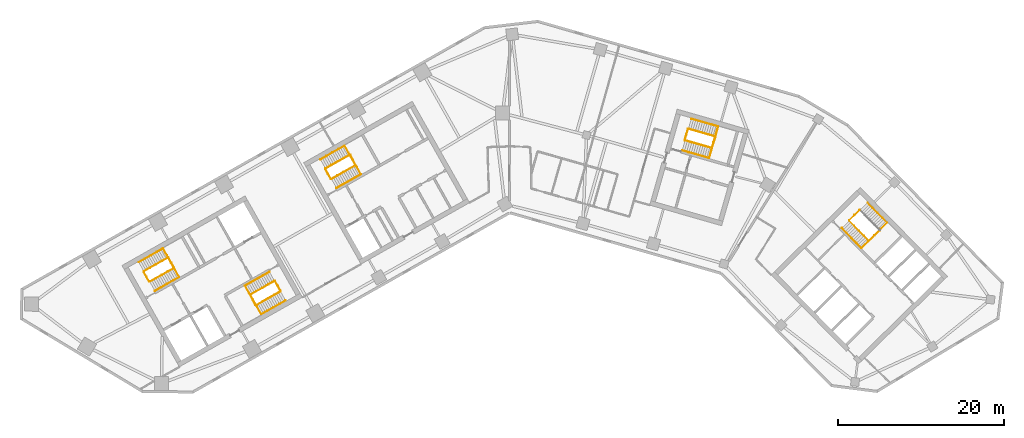
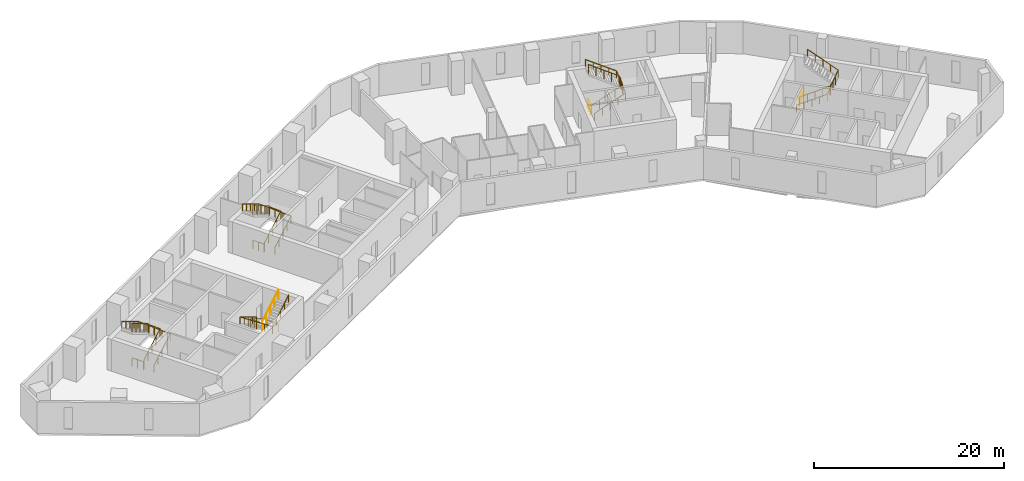
# One storey, part 9 of 10: 19 railings.
"""IFC4 building model written with IfcOpenShell, lengths in metres."""

from ifc_helpers import new_model, si_unit, direction, frame, origin, origin_2d, place, context, subcontext, project, spatial, circle, extrude, material, type_object, element, save


model = new_model("IFC4")

# Units and contexts
model_context = context("Model", 3, precision=1e-05, world=origin(), true_north=direction((0.0, 1.0)))
body_context = subcontext(model_context, "Body", "Model", "MODEL_VIEW")
ifc_project = project(units=[si_unit("LENGTHUNIT", "METRE"), si_unit("AREAUNIT", "SQUARE_METRE"), si_unit("VOLUMEUNIT", "CUBIC_METRE"), si_unit("PLANEANGLEUNIT", "RADIAN"), si_unit("MASSUNIT", "GRAM", prefix="KILO")], contexts=[model_context])

# Site, building, storey
site_placement = place(None, origin())
site = spatial("IfcSite", under=ifc_project, at=site_placement, CompositionType="ELEMENT")
building_placement = place(site_placement, origin())
building = spatial("IfcBuilding", under=site, at=building_placement, Name="Binnacle Exchange Tower", CompositionType="ELEMENT")
storey_placement = place(building_placement, frame((0.0, 0.0, 136.699951171875)))
storey = spatial("IfcBuildingStorey", under=building, at=storey_placement, Name="L28", CompositionType="ELEMENT", Elevation=136.699951171875)

# Railings
ifc_material_1 = material(Name="Steel guard rail", Category="steel")
railing_type_1 = type_object("IfcRailingType", Name="STAIR GUARD 1100", PredefinedType="GUARDRAIL", material=ifc_material_1)
railing_1_placement = place(storey_placement, frame((-43.26171875, 39.71728515625, 0.169189453125)))
element("IfcRailing", 1, at=railing_1_placement, inside=storey, type_object=railing_type_1, Name="L28 STA1 stair guard 1", PredefinedType="GUARDRAIL", context=body_context, shape_type="SweptSolid", body=[
    extrude(circle(Radius=0.02392578125, at=origin_2d()), frame((0.0, 0.0, 1.076171875), z_axis=(0.744867460262, 0.421436531824, 0.517265614832), x_axis=(-0.492433119026, 0.870350287693, 0.0)), (0.0, 0.0, 1.0), 3.926025390625),
    extrude(circle(Radius=0.02392578125, at=origin_2d()), frame((2.92431640625, 1.654541015625, 3.10693359375), z_axis=(-0.460963092712, 0.887419307406, 0.0), x_axis=(-0.887419307406, -0.460963092712, 0.0)), (0.0, 0.0, 1.0), 1.40087890625),
    extrude(circle(Radius=0.02099609375, at=origin_2d()), origin(), (0.0, 0.0, 1.0), 1.052001953125),
    extrude(circle(Radius=0.02099609375, at=origin_2d()), frame((0.73095703125, 0.41357421875, 0.5078125)), (0.0, 0.0, 1.0), 1.052001953125),
    extrude(circle(Radius=0.02099609375, at=origin_2d()), frame((1.462158203125, 0.8271484375, 1.015380859375)), (0.0, 0.0, 1.0), 1.052001953125),
    extrude(circle(Radius=0.02099609375, at=origin_2d()), frame((2.193359375, 1.240966796875, 1.52294921875)), (0.0, 0.0, 1.0), 1.052001953125),
    extrude(circle(Radius=0.02099609375, at=origin_2d()), frame((2.92431640625, 1.654541015625, 2.03076171875)), (0.0, 0.0, 1.0), 1.052001953125),
    extrude(circle(Radius=0.02099609375, at=origin_2d()), frame((2.6015625, 2.276123046875, 2.03076171875)), (0.0, 0.0, 1.0), 1.052001953125),
    extrude(circle(Radius=0.02099609375, at=origin_2d()), frame((2.278564453125, 2.897705078125, 2.03076171875)), (0.0, 0.0, 1.0), 1.052001953125),
])
railing_2_placement = place(storey_placement, frame((-41.05126953125, 42.6337890625, 2.369384765625)))
element("IfcRailing", 2, at=railing_2_placement, inside=storey, type_object=railing_type_1, Name="L28 STA1 stair guard 2", PredefinedType="GUARDRAIL", context=body_context, shape_type="SweptSolid", body=[
    extrude(circle(Radius=0.02392578125, at=origin_2d()), frame((0.0, 0.0, 1.076171875), z_axis=(-0.744895141965, -0.421417011194, 0.517241655469), x_axis=(0.49240197835, -0.870367905955, 0.0)), (0.0, 0.0, 1.0), 3.926025390625),
    extrude(circle(Radius=0.02099609375, at=origin_2d()), origin(), (0.0, 0.0, 1.0), 1.052001953125),
    extrude(circle(Radius=0.02099609375, at=origin_2d()), frame((-0.731201171875, -0.41357421875, 0.5078125)), (0.0, 0.0, 1.0), 1.052001953125),
    extrude(circle(Radius=0.02099609375, at=origin_2d()), frame((-1.46240234375, -0.8271484375, 1.015380859375)), (0.0, 0.0, 1.0), 1.052001953125),
    extrude(circle(Radius=0.02099609375, at=origin_2d()), frame((-2.193359375, -1.240966796875, 1.52294921875)), (0.0, 0.0, 1.0), 1.052001953125),
    extrude(circle(Radius=0.02099609375, at=origin_2d()), frame((-2.924560546875, -1.654541015625, 2.03076171875)), (0.0, 0.0, 1.0), 1.052001953125),
])
railing_3_placement = place(storey_placement, frame((-43.329833984375, 39.736328125, 0.0)))
element("IfcRailing", 3, at=railing_3_placement, inside=storey, type_object=railing_type_1, Name="L28 STA1 stair guard 3", PredefinedType="GUARDRAIL", context=body_context, shape_type="SweptSolid", body=[
    extrude(circle(Radius=0.02392578125, at=origin_2d()), frame((0.0, 0.0, 1.076171875), z_axis=(-0.4924922531, 0.870316827734, 0.0), x_axis=(-0.870316827734, -0.4924922531, 0.0)), (0.0, 0.0, 1.0), 1.349853515625),
    extrude(circle(Radius=0.02099609375, at=origin_2d()), origin(), (0.0, 0.0, 1.0), 1.052001953125),
    extrude(circle(Radius=0.02099609375, at=origin_2d()), frame((-0.33251953125, 0.58740234375, 0.0)), (0.0, 0.0, 1.0), 1.052001953125),
    extrude(circle(Radius=0.02099609375, at=origin_2d()), frame((-0.664794921875, 1.1748046875, 0.0)), (0.0, 0.0, 1.0), 1.052001953125),
])
railing_4_placement = place(storey_placement, frame((-28.265380859375, 39.814453125, 0.169189453125)))
element("IfcRailing", 4, at=railing_4_placement, inside=storey, type_object=railing_type_1, Name="L28 STA2 stair guard 1", PredefinedType="GUARDRAIL", context=body_context, shape_type="SweptSolid", body=[
    extrude(circle(Radius=0.02392578125, at=origin_2d()), frame((0.0, 0.0, 1.076171875), z_axis=(-0.744895141965, -0.421417011194, 0.517241655469), x_axis=(0.49240197835, -0.870367905955, 0.0)), (0.0, 0.0, 1.0), 3.926025390625),
    extrude(circle(Radius=0.02392578125, at=origin_2d()), frame((-2.924560546875, -1.654541015625, 3.10693359375), z_axis=(0.461100321709, -0.887348011391, 0.0), x_axis=(0.887348011391, 0.461100321709, 0.0)), (0.0, 0.0, 1.0), 1.40087890625),
    extrude(circle(Radius=0.02099609375, at=origin_2d()), origin(), (0.0, 0.0, 1.0), 1.052001953125),
    extrude(circle(Radius=0.02099609375, at=origin_2d()), frame((-0.731201171875, -0.41357421875, 0.5078125)), (0.0, 0.0, 1.0), 1.052001953125),
    extrude(circle(Radius=0.02099609375, at=origin_2d()), frame((-1.46240234375, -0.8271484375, 1.015380859375)), (0.0, 0.0, 1.0), 1.052001953125),
    extrude(circle(Radius=0.02099609375, at=origin_2d()), frame((-2.193359375, -1.240966796875, 1.52294921875)), (0.0, 0.0, 1.0), 1.052001953125),
    extrude(circle(Radius=0.02099609375, at=origin_2d()), frame((-2.924560546875, -1.654541015625, 2.03076171875)), (0.0, 0.0, 1.0), 1.052001953125),
    extrude(circle(Radius=0.02099609375, at=origin_2d()), frame((-2.6015625, -2.276123046875, 2.03076171875)), (0.0, 0.0, 1.0), 1.052001953125),
    extrude(circle(Radius=0.02099609375, at=origin_2d()), frame((-2.278564453125, -2.897705078125, 2.03076171875)), (0.0, 0.0, 1.0), 1.052001953125),
])
railing_5_placement = place(storey_placement, frame((-30.475830078125, 36.89794921875, 2.369384765625)))
element("IfcRailing", 5, at=railing_5_placement, inside=storey, type_object=railing_type_1, Name="L28 STA2 stair guard 2", PredefinedType="GUARDRAIL", context=body_context, shape_type="SweptSolid", body=[
    extrude(circle(Radius=0.02392578125, at=origin_2d()), frame((0.0, 0.0, 1.076171875), z_axis=(0.744867460262, 0.421436531824, 0.517265614832), x_axis=(-0.492433119026, 0.870350287693, 0.0)), (0.0, 0.0, 1.0), 3.926025390625),
    extrude(circle(Radius=0.02099609375, at=origin_2d()), origin(), (0.0, 0.0, 1.0), 1.052001953125),
    extrude(circle(Radius=0.02099609375, at=origin_2d()), frame((0.73095703125, 0.41357421875, 0.5078125)), (0.0, 0.0, 1.0), 1.052001953125),
    extrude(circle(Radius=0.02099609375, at=origin_2d()), frame((1.462158203125, 0.8271484375, 1.015380859375)), (0.0, 0.0, 1.0), 1.052001953125),
    extrude(circle(Radius=0.02099609375, at=origin_2d()), frame((2.193359375, 1.240966796875, 1.52294921875)), (0.0, 0.0, 1.0), 1.052001953125),
    extrude(circle(Radius=0.02099609375, at=origin_2d()), frame((2.92431640625, 1.654541015625, 2.03076171875)), (0.0, 0.0, 1.0), 1.052001953125),
])
railing_6_placement = place(storey_placement, frame((-28.197265625, 39.795654296875, 0.0)))
element("IfcRailing", 6, at=railing_6_placement, inside=storey, type_object=railing_type_1, Name="L28 STA2 stair guard 3", PredefinedType="GUARDRAIL", context=body_context, shape_type="SweptSolid", body=[
    extrude(circle(Radius=0.02392578125, at=origin_2d()), frame((0.0, 0.0, 1.076171875), z_axis=(0.49241474071, -0.870360685654, 0.0), x_axis=(0.870360685654, 0.49241474071, 0.0)), (0.0, 0.0, 1.0), 1.35009765625),
    extrude(circle(Radius=0.02099609375, at=origin_2d()), origin(), (0.0, 0.0, 1.0), 1.052001953125),
    extrude(circle(Radius=0.02099609375, at=origin_2d()), frame((0.33251953125, -0.58740234375, 0.0)), (0.0, 0.0, 1.0), 1.052001953125),
    extrude(circle(Radius=0.02099609375, at=origin_2d()), frame((0.664794921875, -1.175048828125, 0.0)), (0.0, 0.0, 1.0), 1.052001953125),
])
railing_7_placement = place(storey_placement, frame((40.822509765625, 47.046875, 0.169189453125)))
element("IfcRailing", 7, at=railing_7_placement, inside=storey, type_object=railing_type_1, Name="L28 STB1 stair guard 1", PredefinedType="GUARDRAIL", context=body_context, shape_type="SweptSolid", body=[
    extrude(circle(Radius=0.02392578125, at=origin_2d()), frame((0.0, 0.0, 1.076171875), z_axis=(0.599850224077, -0.610421915772, 0.51726665601), x_axis=(0.713256128111, 0.700903485305, 0.0)), (0.0, 0.0, 1.0), 3.926025390625),
    extrude(circle(Radius=0.02392578125, at=origin_2d()), frame((2.35498046875, -2.396484375, 3.10693359375), z_axis=(0.732527851538, 0.680737061369, 0.0), x_axis=(-0.680737061369, 0.732527851538, 0.0)), (0.0, 0.0, 1.0), 1.80078125),
    extrude(circle(Radius=0.02099609375, at=origin_2d()), origin(), (0.0, 0.0, 1.0), 1.052001953125),
    extrude(circle(Radius=0.02099609375, at=origin_2d()), frame((0.5888671875, -0.59912109375, 0.5078125)), (0.0, 0.0, 1.0), 1.052001953125),
    extrude(circle(Radius=0.02099609375, at=origin_2d()), frame((1.177490234375, -1.1982421875, 1.015380859375)), (0.0, 0.0, 1.0), 1.052001953125),
    extrude(circle(Radius=0.02099609375, at=origin_2d()), frame((1.76611328125, -1.79736328125, 1.52294921875)), (0.0, 0.0, 1.0), 1.052001953125),
    extrude(circle(Radius=0.02099609375, at=origin_2d()), frame((2.35498046875, -2.396484375, 2.03076171875)), (0.0, 0.0, 1.0), 1.052001953125),
    extrude(circle(Radius=0.02099609375, at=origin_2d()), frame((3.0146484375, -1.78369140625, 2.03076171875)), (0.0, 0.0, 1.0), 1.052001953125),
    extrude(circle(Radius=0.02099609375, at=origin_2d()), frame((3.674072265625, -1.170654296875, 2.03076171875)), (0.0, 0.0, 1.0), 1.052001953125),
])
railing_8_placement = place(storey_placement, frame((40.8232421875, 47.117431640625, 0.0)))
element("IfcRailing", 8, at=railing_8_placement, inside=storey, type_object=railing_type_1, Name="L28 STB1 stair guard 3", PredefinedType="GUARDRAIL", context=body_context, shape_type="SweptSolid", body=[
    extrude(circle(Radius=0.02392578125, at=origin_2d()), frame((0.0, 0.0, 1.076171875), z_axis=(0.713218950569, 0.700941316052, 0.0), x_axis=(-0.700941316052, 0.713218950569, 0.0)), (0.0, 0.0, 1.0), 1.75),
    extrude(circle(Radius=0.02099609375, at=origin_2d()), origin(), (0.0, 0.0, 1.0), 1.052001953125),
    extrude(circle(Radius=0.02099609375, at=origin_2d()), frame((0.6240234375, 0.61328125, 0.0)), (0.0, 0.0, 1.0), 1.052001953125),
    extrude(circle(Radius=0.02099609375, at=origin_2d()), frame((1.248046875, 1.2265625, 0.0)), (0.0, 0.0, 1.0), 1.052001953125),
])
railing_9_placement = place(storey_placement, frame((-21.423828125, 52.07275390625, 0.169189453125)))
element("IfcRailing", 9, at=railing_9_placement, inside=storey, type_object=railing_type_1, Name="L28 STC1 stair guard 1", PredefinedType="GUARDRAIL", context=body_context, shape_type="SweptSolid", body=[
    extrude(circle(Radius=0.02392578125, at=origin_2d()), frame((0.0, 0.0, 1.076171875), z_axis=(0.744895141965, 0.421417011194, 0.517241655469), x_axis=(-0.49240197835, 0.870367905955, 0.0)), (0.0, 0.0, 1.0), 3.926025390625),
    extrude(circle(Radius=0.02392578125, at=origin_2d()), frame((2.924560546875, 1.654541015625, 3.10693359375), z_axis=(-0.461171632143, 0.887310952094, 0.0), x_axis=(-0.887310952094, -0.461171632143, 0.0)), (0.0, 0.0, 1.0), 1.40087890625),
    extrude(circle(Radius=0.02099609375, at=origin_2d()), origin(), (0.0, 0.0, 1.0), 1.052001953125),
    extrude(circle(Radius=0.02099609375, at=origin_2d()), frame((0.731201171875, 0.41357421875, 0.5078125)), (0.0, 0.0, 1.0), 1.052001953125),
    extrude(circle(Radius=0.02099609375, at=origin_2d()), frame((1.46240234375, 0.8271484375, 1.015380859375)), (0.0, 0.0, 1.0), 1.052001953125),
    extrude(circle(Radius=0.02099609375, at=origin_2d()), frame((2.193359375, 1.240966796875, 1.52294921875)), (0.0, 0.0, 1.0), 1.052001953125),
    extrude(circle(Radius=0.02099609375, at=origin_2d()), frame((2.924560546875, 1.654541015625, 2.03076171875)), (0.0, 0.0, 1.0), 1.052001953125),
    extrude(circle(Radius=0.02099609375, at=origin_2d()), frame((2.6015625, 2.27587890625, 2.03076171875)), (0.0, 0.0, 1.0), 1.052001953125),
    extrude(circle(Radius=0.02099609375, at=origin_2d()), frame((2.278564453125, 2.8974609375, 2.03076171875)), (0.0, 0.0, 1.0), 1.052001953125),
])
railing_10_placement = place(storey_placement, frame((-19.21337890625, 54.9892578125, 2.369384765625)))
element("IfcRailing", 10, at=railing_10_placement, inside=storey, type_object=railing_type_1, Name="L28 STC1 stair guard 2", PredefinedType="GUARDRAIL", context=body_context, shape_type="SweptSolid", body=[
    extrude(circle(Radius=0.02392578125, at=origin_2d()), frame((0.0, 0.0, 1.076171875), z_axis=(-0.744867460262, -0.421436531824, 0.517265614832), x_axis=(0.492433119026, -0.870350287693, 0.0)), (0.0, 0.0, 1.0), 3.926025390625),
    extrude(circle(Radius=0.02099609375, at=origin_2d()), origin(), (0.0, 0.0, 1.0), 1.052001953125),
    extrude(circle(Radius=0.02099609375, at=origin_2d()), frame((-0.73095703125, -0.41357421875, 0.5078125)), (0.0, 0.0, 1.0), 1.052001953125),
    extrude(circle(Radius=0.02099609375, at=origin_2d()), frame((-1.462158203125, -0.8271484375, 1.015380859375)), (0.0, 0.0, 1.0), 1.052001953125),
    extrude(circle(Radius=0.02099609375, at=origin_2d()), frame((-2.193359375, -1.240966796875, 1.52294921875)), (0.0, 0.0, 1.0), 1.052001953125),
    extrude(circle(Radius=0.02099609375, at=origin_2d()), frame((-2.92431640625, -1.654541015625, 2.03076171875)), (0.0, 0.0, 1.0), 1.052001953125),
])
railing_11_placement = place(storey_placement, frame((-21.491943359375, 52.091552734375, 0.0)))
element("IfcRailing", 11, at=railing_11_placement, inside=storey, type_object=railing_type_1, Name="L28 STC1 stair guard 3", PredefinedType="GUARDRAIL", context=body_context, shape_type="SweptSolid", body=[
    extrude(circle(Radius=0.02392578125, at=origin_2d()), frame((0.0, 0.0, 1.076171875), z_axis=(-0.49241474071, 0.870360685654, 0.0), x_axis=(-0.870360685654, -0.49241474071, 0.0)), (0.0, 0.0, 1.0), 1.35009765625),
    extrude(circle(Radius=0.02099609375, at=origin_2d()), origin(), (0.0, 0.0, 1.0), 1.052001953125),
    extrude(circle(Radius=0.02099609375, at=origin_2d()), frame((-0.33251953125, 0.58740234375, 0.0)), (0.0, 0.0, 1.0), 1.052001953125),
    extrude(circle(Radius=0.02099609375, at=origin_2d()), frame((-0.664794921875, 1.175048828125, 0.0)), (0.0, 0.0, 1.0), 1.052001953125),
])
railing_12_placement = place(storey_placement, frame((21.086669921875, 56.71044921875, 0.169189453125)))
element("IfcRailing", 12, at=railing_12_placement, inside=storey, type_object=railing_type_1, Name="L28 STD1 stair guard 1", PredefinedType="GUARDRAIL", context=body_context, shape_type="SweptSolid", body=[
    extrude(circle(Radius=0.02392578125, at=origin_2d()), frame((0.0, 0.0, 1.076171875), z_axis=(0.82266146106, -0.235934506256, 0.517264950721), x_axis=(0.27568068152, 0.961249271436, 0.0)), (0.0, 0.0, 1.0), 3.926025390625),
    extrude(circle(Radius=0.02392578125, at=origin_2d()), frame((3.229736328125, -0.92626953125, 3.10693359375), z_axis=(0.309842533299, 0.950787886208, 0.0), x_axis=(-0.950787886208, 0.309842533299, 0.0)), (0.0, 0.0, 1.0), 1.40087890625),
    extrude(circle(Radius=0.02099609375, at=origin_2d()), origin(), (0.0, 0.0, 1.0), 1.052001953125),
    extrude(circle(Radius=0.02099609375, at=origin_2d()), frame((0.807373046875, -0.2314453125, 0.5078125)), (0.0, 0.0, 1.0), 1.052001953125),
    extrude(circle(Radius=0.02099609375, at=origin_2d()), frame((1.61474609375, -0.463134765625, 1.015380859375)), (0.0, 0.0, 1.0), 1.052001953125),
    extrude(circle(Radius=0.02099609375, at=origin_2d()), frame((2.42236328125, -0.69482421875, 1.52294921875)), (0.0, 0.0, 1.0), 1.052001953125),
    extrude(circle(Radius=0.02099609375, at=origin_2d()), frame((3.229736328125, -0.92626953125, 2.03076171875)), (0.0, 0.0, 1.0), 1.052001953125),
    extrude(circle(Radius=0.02099609375, at=origin_2d()), frame((3.44677734375, -0.26025390625, 2.03076171875)), (0.0, 0.0, 1.0), 1.052001953125),
    extrude(circle(Radius=0.02099609375, at=origin_2d()), frame((3.663818359375, 0.40576171875, 2.03076171875)), (0.0, 0.0, 1.0), 1.052001953125),
])
railing_13_placement = place(storey_placement, frame((24.716064453125, 57.177978515625, 2.369384765625)))
element("IfcRailing", 13, at=railing_13_placement, inside=storey, type_object=railing_type_1, Name="L28 STD1 stair guard 2", PredefinedType="GUARDRAIL", context=body_context, shape_type="SweptSolid", body=[
    extrude(circle(Radius=0.02392578125, at=origin_2d()), frame((0.0, 0.0, 1.076171875), z_axis=(-0.82266146106, 0.235934506256, 0.517264950721), x_axis=(-0.27568068152, -0.961249271436, 0.0)), (0.0, 0.0, 1.0), 3.926025390625),
    extrude(circle(Radius=0.02099609375, at=origin_2d()), origin(), (0.0, 0.0, 1.0), 1.052001953125),
    extrude(circle(Radius=0.02099609375, at=origin_2d()), frame((-0.807373046875, 0.2314453125, 0.5078125)), (0.0, 0.0, 1.0), 1.052001953125),
    extrude(circle(Radius=0.02099609375, at=origin_2d()), frame((-1.61474609375, 0.463134765625, 1.015380859375)), (0.0, 0.0, 1.0), 1.052001953125),
    extrude(circle(Radius=0.02099609375, at=origin_2d()), frame((-2.42236328125, 0.69482421875, 1.52294921875)), (0.0, 0.0, 1.0), 1.052001953125),
    extrude(circle(Radius=0.02099609375, at=origin_2d()), frame((-3.229736328125, 0.92626953125, 2.03076171875)), (0.0, 0.0, 1.0), 1.052001953125),
])
railing_14_placement = place(storey_placement, frame((21.05224609375, 56.772216796875, 0.0)))
element("IfcRailing", 14, at=railing_14_placement, inside=storey, type_object=railing_type_1, Name="L28 STD1 stair guard 3", PredefinedType="GUARDRAIL", context=body_context, shape_type="SweptSolid", body=[
    extrude(circle(Radius=0.02392578125, at=origin_2d()), frame((0.0, 0.0, 1.076171875), z_axis=(0.275795817769, 0.961216243569, 0.0), x_axis=(-0.961216243569, 0.275795817769, 0.0)), (0.0, 0.0, 1.0), 1.349853515625),
    extrude(circle(Radius=0.02099609375, at=origin_2d()), origin(), (0.0, 0.0, 1.0), 1.052001953125),
    extrude(circle(Radius=0.02099609375, at=origin_2d()), frame((0.18603515625, 0.64892578125, 0.0)), (0.0, 0.0, 1.0), 1.052001953125),
    extrude(circle(Radius=0.02099609375, at=origin_2d()), frame((0.372314453125, 1.297607421875, 0.0)), (0.0, 0.0, 1.0), 1.052001953125),
])
ifc_material_2 = material(Name="Steel handrail", Category="steel")
railing_type_2 = type_object("IfcRailingType", Name="STAIR HANDRAIL 900", PredefinedType="HANDRAIL", material=ifc_material_2)
railing_15_placement = place(storey_placement, frame((-42.646240234375, 38.62939453125, 0.169189453125)))
element("IfcRailing", 15, at=railing_15_placement, inside=storey, type_object=railing_type_2, Name="L28 STA1 stair handrail 1", PredefinedType="HANDRAIL", context=body_context, shape_type="SweptSolid", body=[
    extrude(circle(Radius=0.02392578125, at=origin_2d()), frame((0.0, 0.0, 0.8759765625), z_axis=(0.744867460262, 0.421436531824, 0.517265614832), x_axis=(-0.492433119026, 0.870350287693, 0.0)), (0.0, 0.0, 1.0), 3.926025390625),
    extrude(circle(Radius=0.02392578125, at=origin_2d()), frame((2.92431640625, 1.654541015625, 2.90673828125), z_axis=(-0.491961255224, 0.869561741692, 0.042854413346), x_axis=(-0.870361318571, -0.492413622004, 0.0)), (0.0, 0.0, 1.0), 3.95361328125),
    extrude(circle(Radius=0.02392578125, at=origin_2d()), frame((0.979248046875, 5.092529296875, 3.076171875), z_axis=(-0.744867460262, -0.421436531824, 0.517265614832), x_axis=(0.492433119026, -0.870350287693, 0.0)), (0.0, 0.0, 1.0), 3.926025390625),
    extrude(circle(Radius=0.02099609375, at=origin_2d()), origin(), (0.0, 0.0, 1.0), 0.851806640625),
    extrude(circle(Radius=0.02099609375, at=origin_2d()), frame((0.73095703125, 0.41357421875, 0.5078125)), (0.0, 0.0, 1.0), 0.851806640625),
    extrude(circle(Radius=0.02099609375, at=origin_2d()), frame((1.462158203125, 0.8271484375, 1.015380859375)), (0.0, 0.0, 1.0), 0.851806640625),
    extrude(circle(Radius=0.02099609375, at=origin_2d()), frame((2.193359375, 1.240966796875, 1.52294921875)), (0.0, 0.0, 1.0), 0.851806640625),
    extrude(circle(Radius=0.02099609375, at=origin_2d()), frame((2.92431640625, 1.654541015625, 2.03076171875)), (0.0, 0.0, 1.0), 0.851806640625),
    extrude(circle(Radius=0.02099609375, at=origin_2d()), frame((2.43798828125, 2.51416015625, 2.0732421875)), (0.0, 0.0, 1.0), 0.851806640625),
    extrude(circle(Radius=0.02099609375, at=origin_2d()), frame((1.95166015625, 3.37353515625, 2.115478515625)), (0.0, 0.0, 1.0), 0.851806640625),
    extrude(circle(Radius=0.02099609375, at=origin_2d()), frame((1.465576171875, 4.23291015625, 2.15771484375)), (0.0, 0.0, 1.0), 0.851806640625),
    extrude(circle(Radius=0.02099609375, at=origin_2d()), frame((0.979248046875, 5.092529296875, 2.2001953125)), (0.0, 0.0, 1.0), 0.851806640625),
    extrude(circle(Radius=0.02099609375, at=origin_2d()), frame((0.248046875, 4.678955078125, 2.7080078125)), (0.0, 0.0, 1.0), 0.851806640625),
    extrude(circle(Radius=0.02099609375, at=origin_2d()), frame((-0.48291015625, 4.26513671875, 3.215576171875)), (0.0, 0.0, 1.0), 0.851806640625),
    extrude(circle(Radius=0.02099609375, at=origin_2d()), frame((-1.2138671875, 3.8515625, 3.72314453125)), (0.0, 0.0, 1.0), 0.851806640625),
    extrude(circle(Radius=0.02099609375, at=origin_2d()), frame((-1.945068359375, 3.43798828125, 4.23095703125)), (0.0, 0.0, 1.0), 0.851806640625),
])
railing_16_placement = place(storey_placement, frame((-28.880859375, 40.90234375, 0.169189453125)))
element("IfcRailing", 16, at=railing_16_placement, inside=storey, type_object=railing_type_2, Name="L28 STA2 stair handrail 1", PredefinedType="HANDRAIL", context=body_context, shape_type="SweptSolid", body=[
    extrude(circle(Radius=0.02392578125, at=origin_2d()), frame((0.0, 0.0, 0.8759765625), z_axis=(-0.744895141965, -0.421417011194, 0.517241655469), x_axis=(0.49240197835, -0.870367905955, 0.0)), (0.0, 0.0, 1.0), 3.926025390625),
    extrude(circle(Radius=0.02392578125, at=origin_2d()), frame((-2.924560546875, -1.654541015625, 2.90673828125), z_axis=(0.491987672435, -0.869546682008, 0.042856714531), x_axis=(0.87034633103, 0.492440112159, 0.0)), (0.0, 0.0, 1.0), 3.953369140625),
    extrude(circle(Radius=0.02392578125, at=origin_2d()), frame((-0.9794921875, -5.09228515625, 3.076171875), z_axis=(0.744895141965, 0.421417011194, 0.517241655469), x_axis=(-0.49240197835, 0.870367905955, 0.0)), (0.0, 0.0, 1.0), 3.926025390625),
    extrude(circle(Radius=0.02099609375, at=origin_2d()), origin(), (0.0, 0.0, 1.0), 0.851806640625),
    extrude(circle(Radius=0.02099609375, at=origin_2d()), frame((-0.731201171875, -0.41357421875, 0.5078125)), (0.0, 0.0, 1.0), 0.851806640625),
    extrude(circle(Radius=0.02099609375, at=origin_2d()), frame((-1.46240234375, -0.8271484375, 1.015380859375)), (0.0, 0.0, 1.0), 0.851806640625),
    extrude(circle(Radius=0.02099609375, at=origin_2d()), frame((-2.193359375, -1.240966796875, 1.52294921875)), (0.0, 0.0, 1.0), 0.851806640625),
    extrude(circle(Radius=0.02099609375, at=origin_2d()), frame((-2.924560546875, -1.654541015625, 2.03076171875)), (0.0, 0.0, 1.0), 0.851806640625),
    extrude(circle(Radius=0.02099609375, at=origin_2d()), frame((-2.438232421875, -2.513916015625, 2.0732421875)), (0.0, 0.0, 1.0), 0.851806640625),
    extrude(circle(Radius=0.02099609375, at=origin_2d()), frame((-1.9521484375, -3.37353515625, 2.115478515625)), (0.0, 0.0, 1.0), 0.851806640625),
    extrude(circle(Radius=0.02099609375, at=origin_2d()), frame((-1.4658203125, -4.23291015625, 2.15771484375)), (0.0, 0.0, 1.0), 0.851806640625),
    extrude(circle(Radius=0.02099609375, at=origin_2d()), frame((-0.9794921875, -5.09228515625, 2.2001953125)), (0.0, 0.0, 1.0), 0.851806640625),
    extrude(circle(Radius=0.02099609375, at=origin_2d()), frame((-0.248291015625, -4.6787109375, 2.7080078125)), (0.0, 0.0, 1.0), 0.851806640625),
    extrude(circle(Radius=0.02099609375, at=origin_2d()), frame((0.48291015625, -4.26513671875, 3.215576171875)), (0.0, 0.0, 1.0), 0.851806640625),
    extrude(circle(Radius=0.02099609375, at=origin_2d()), frame((1.2138671875, -3.851318359375, 3.72314453125)), (0.0, 0.0, 1.0), 0.851806640625),
    extrude(circle(Radius=0.02099609375, at=origin_2d()), frame((1.945068359375, -3.437744140625, 4.23095703125)), (0.0, 0.0, 1.0), 0.851806640625),
])
railing_17_placement = place(storey_placement, frame((39.930908203125, 46.170654296875, 0.169189453125)))
element("IfcRailing", 17, at=railing_17_placement, inside=storey, type_object=railing_type_2, Name="L28 STB1 stair handrail 1", PredefinedType="HANDRAIL", context=body_context, shape_type="SweptSolid", body=[
    extrude(circle(Radius=0.02392578125, at=origin_2d()), frame((0.0, 0.0, 0.8759765625), z_axis=(0.599890032335, -0.610399145579, 0.51724736073), x_axis=(0.713219803244, 0.700940448441, 0.0)), (0.0, 0.0, 1.0), 3.926025390625),
    extrude(circle(Radius=0.02392578125, at=origin_2d()), frame((2.355224609375, -2.396484375, 2.90673828125), z_axis=(0.712713255438, 0.700374813811, 0.038922174951), x_axis=(-0.700905928746, 0.713253726978, 0.0)), (0.0, 0.0, 1.0), 4.35302734375),
    extrude(circle(Radius=0.02392578125, at=origin_2d()), frame((5.457763671875, 0.65234375, 3.076171875), z_axis=(-0.599827453926, 0.610460928384, 0.517247020709), x_axis=(-0.713291821981, -0.70086716052, 0.0)), (0.0, 0.0, 1.0), 3.926025390625),
    extrude(circle(Radius=0.02099609375, at=origin_2d()), origin(), (0.0, 0.0, 1.0), 0.851806640625),
    extrude(circle(Radius=0.02099609375, at=origin_2d()), frame((0.5888671875, -0.59912109375, 0.5078125)), (0.0, 0.0, 1.0), 0.851806640625),
    extrude(circle(Radius=0.02099609375, at=origin_2d()), frame((1.177734375, -1.1982421875, 1.015380859375)), (0.0, 0.0, 1.0), 0.851806640625),
    extrude(circle(Radius=0.02099609375, at=origin_2d()), frame((1.766357421875, -1.79736328125, 1.52294921875)), (0.0, 0.0, 1.0), 0.851806640625),
    extrude(circle(Radius=0.02099609375, at=origin_2d()), frame((2.355224609375, -2.396484375, 2.03076171875)), (0.0, 0.0, 1.0), 0.851806640625),
    extrude(circle(Radius=0.02099609375, at=origin_2d()), frame((3.130859375, -1.63427734375, 2.0732421875)), (0.0, 0.0, 1.0), 0.851806640625),
    extrude(circle(Radius=0.02099609375, at=origin_2d()), frame((3.906494140625, -0.8720703125, 2.115478515625)), (0.0, 0.0, 1.0), 0.851806640625),
    extrude(circle(Radius=0.02099609375, at=origin_2d()), frame((4.68212890625, -0.10986328125, 2.15771484375)), (0.0, 0.0, 1.0), 0.851806640625),
    extrude(circle(Radius=0.02099609375, at=origin_2d()), frame((5.457763671875, 0.65234375, 2.2001953125)), (0.0, 0.0, 1.0), 0.851806640625),
    extrude(circle(Radius=0.02099609375, at=origin_2d()), frame((4.869140625, 1.25146484375, 2.7080078125)), (0.0, 0.0, 1.0), 0.851806640625),
    extrude(circle(Radius=0.02099609375, at=origin_2d()), frame((4.2802734375, 1.8505859375, 3.215576171875)), (0.0, 0.0, 1.0), 0.851806640625),
    extrude(circle(Radius=0.02099609375, at=origin_2d()), frame((3.69140625, 2.449951171875, 3.72314453125)), (0.0, 0.0, 1.0), 0.851806640625),
    extrude(circle(Radius=0.02099609375, at=origin_2d()), frame((3.102783203125, 3.049072265625, 4.23095703125)), (0.0, 0.0, 1.0), 0.851806640625),
])
railing_18_placement = place(storey_placement, frame((-20.808349609375, 50.984619140625, 0.169189453125)))
element("IfcRailing", 18, at=railing_18_placement, inside=storey, type_object=railing_type_2, Name="L28 STC1 stair handrail 1", PredefinedType="HANDRAIL", context=body_context, shape_type="SweptSolid", body=[
    extrude(circle(Radius=0.02392578125, at=origin_2d()), frame((0.0, 0.0, 0.8759765625), z_axis=(0.744895141965, 0.421417011194, 0.517241655469), x_axis=(-0.49240197835, 0.870367905955, 0.0)), (0.0, 0.0, 1.0), 3.926025390625),
    extrude(circle(Radius=0.02392578125, at=origin_2d()), frame((2.924560546875, 1.654541015625, 2.90673828125), z_axis=(-0.491961255224, 0.869561741692, 0.042854413346), x_axis=(-0.870361318571, -0.492413622004, 0.0)), (0.0, 0.0, 1.0), 3.95361328125),
    extrude(circle(Radius=0.02392578125, at=origin_2d()), frame((0.9794921875, 5.092529296875, 3.076171875), z_axis=(-0.744895141965, -0.421417011194, 0.517241655469), x_axis=(0.49240197835, -0.870367905955, 0.0)), (0.0, 0.0, 1.0), 3.926025390625),
    extrude(circle(Radius=0.02099609375, at=origin_2d()), origin(), (0.0, 0.0, 1.0), 0.851806640625),
    extrude(circle(Radius=0.02099609375, at=origin_2d()), frame((0.731201171875, 0.41357421875, 0.5078125)), (0.0, 0.0, 1.0), 0.851806640625),
    extrude(circle(Radius=0.02099609375, at=origin_2d()), frame((1.46240234375, 0.8271484375, 1.015380859375)), (0.0, 0.0, 1.0), 0.851806640625),
    extrude(circle(Radius=0.02099609375, at=origin_2d()), frame((2.193359375, 1.240966796875, 1.52294921875)), (0.0, 0.0, 1.0), 0.851806640625),
    extrude(circle(Radius=0.02099609375, at=origin_2d()), frame((2.924560546875, 1.654541015625, 2.03076171875)), (0.0, 0.0, 1.0), 0.851806640625),
    extrude(circle(Radius=0.02099609375, at=origin_2d()), frame((2.438232421875, 2.51416015625, 2.0732421875)), (0.0, 0.0, 1.0), 0.851806640625),
    extrude(circle(Radius=0.02099609375, at=origin_2d()), frame((1.9521484375, 3.37353515625, 2.115478515625)), (0.0, 0.0, 1.0), 0.851806640625),
    extrude(circle(Radius=0.02099609375, at=origin_2d()), frame((1.4658203125, 4.23291015625, 2.15771484375)), (0.0, 0.0, 1.0), 0.851806640625),
    extrude(circle(Radius=0.02099609375, at=origin_2d()), frame((0.9794921875, 5.092529296875, 2.2001953125)), (0.0, 0.0, 1.0), 0.851806640625),
    extrude(circle(Radius=0.02099609375, at=origin_2d()), frame((0.248291015625, 4.678955078125, 2.7080078125)), (0.0, 0.0, 1.0), 0.851806640625),
    extrude(circle(Radius=0.02099609375, at=origin_2d()), frame((-0.48291015625, 4.26513671875, 3.215576171875)), (0.0, 0.0, 1.0), 0.851806640625),
    extrude(circle(Radius=0.02099609375, at=origin_2d()), frame((-1.2138671875, 3.8515625, 3.72314453125)), (0.0, 0.0, 1.0), 0.851806640625),
    extrude(circle(Radius=0.02099609375, at=origin_2d()), frame((-1.945068359375, 3.43798828125, 4.23095703125)), (0.0, 0.0, 1.0), 0.851806640625),
])
railing_19_placement = place(storey_placement, frame((20.7421875, 55.5087890625, 0.169189453125)))
element("IfcRailing", 19, at=railing_19_placement, inside=storey, type_object=railing_type_2, Name="L28 STD1 stair handrail 1", PredefinedType="HANDRAIL", context=body_context, shape_type="SweptSolid", body=[
    extrude(circle(Radius=0.02392578125, at=origin_2d()), frame((0.0, 0.0, 0.8759765625), z_axis=(0.82266146106, -0.235934506256, 0.517264950721), x_axis=(0.27568068152, 0.961249271436, 0.0)), (0.0, 0.0, 1.0), 3.926025390625),
    extrude(circle(Radius=0.02392578125, at=origin_2d()), frame((3.229736328125, -0.92626953125, 2.90673828125), z_axis=(0.275398354663, 0.960374576249, 0.04285346595), x_axis=(-0.961257617982, 0.275651576943, 0.0)), (0.0, 0.0, 1.0), 3.953857421875),
    extrude(circle(Radius=0.02392578125, at=origin_2d()), frame((4.318603515625, 2.870849609375, 3.076171875), z_axis=(-0.822693627572, 0.235863713483, 0.517246076655), x_axis=(-0.275594289407, -0.961274043989, 0.0)), (0.0, 0.0, 1.0), 3.926025390625),
    extrude(circle(Radius=0.02099609375, at=origin_2d()), origin(), (0.0, 0.0, 1.0), 0.851806640625),
    extrude(circle(Radius=0.02099609375, at=origin_2d()), frame((0.807373046875, -0.2314453125, 0.5078125)), (0.0, 0.0, 1.0), 0.851806640625),
    extrude(circle(Radius=0.02099609375, at=origin_2d()), frame((1.61474609375, -0.463134765625, 1.015380859375)), (0.0, 0.0, 1.0), 0.851806640625),
    extrude(circle(Radius=0.02099609375, at=origin_2d()), frame((2.42236328125, -0.69482421875, 1.52294921875)), (0.0, 0.0, 1.0), 0.851806640625),
    extrude(circle(Radius=0.02099609375, at=origin_2d()), frame((3.229736328125, -0.92626953125, 2.03076171875)), (0.0, 0.0, 1.0), 0.851806640625),
    extrude(circle(Radius=0.02099609375, at=origin_2d()), frame((3.501953125, 0.02294921875, 2.0732421875)), (0.0, 0.0, 1.0), 0.851806640625),
    extrude(circle(Radius=0.02099609375, at=origin_2d()), frame((3.774169921875, 0.97216796875, 2.115478515625)), (0.0, 0.0, 1.0), 0.851806640625),
    extrude(circle(Radius=0.02099609375, at=origin_2d()), frame((4.04638671875, 1.921630859375, 2.15771484375)), (0.0, 0.0, 1.0), 0.851806640625),
    extrude(circle(Radius=0.02099609375, at=origin_2d()), frame((4.318603515625, 2.870849609375, 2.2001953125)), (0.0, 0.0, 1.0), 0.851806640625),
    extrude(circle(Radius=0.02099609375, at=origin_2d()), frame((3.51123046875, 3.102294921875, 2.7080078125)), (0.0, 0.0, 1.0), 0.851806640625),
    extrude(circle(Radius=0.02099609375, at=origin_2d()), frame((2.70361328125, 3.333984375, 3.215576171875)), (0.0, 0.0, 1.0), 0.851806640625),
    extrude(circle(Radius=0.02099609375, at=origin_2d()), frame((1.89599609375, 3.5654296875, 3.72314453125)), (0.0, 0.0, 1.0), 0.851806640625),
    extrude(circle(Radius=0.02099609375, at=origin_2d()), frame((1.088623046875, 3.796875, 4.23095703125)), (0.0, 0.0, 1.0), 0.851806640625),
])

save(model, "model.ifc")
